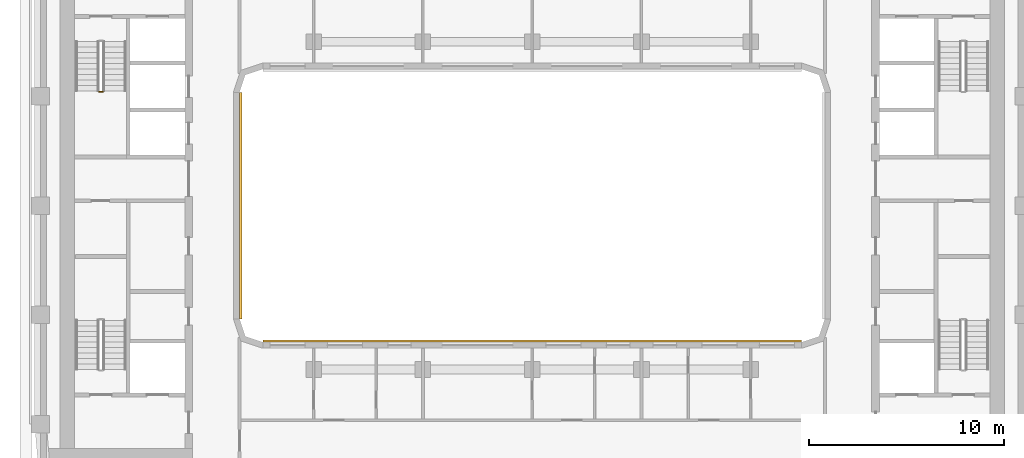
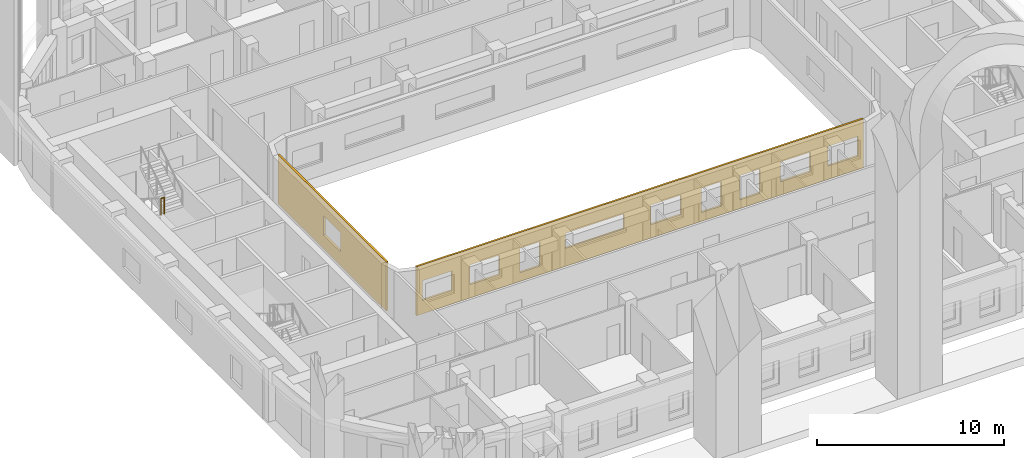
# One storey, part 14 of 20: 2 coverings, 1 railing.
"""IFC4 building model written with IfcOpenShell, lengths in metres."""

from ifc_helpers import new_model, si_unit, direction, frame, origin, origin_2d, place, context, subcontext, project, spatial, polyline, circle, outline, extrude, material, layer, layer_set, type_object, element, save


model = new_model("IFC4")

# Units and contexts
model_context = context("Model", 3, precision=1e-05, world=origin(), true_north=direction((0.0, 1.0)))
body_context = subcontext(model_context, "Body", "Model", "MODEL_VIEW")
ifc_project = project(units=[si_unit("LENGTHUNIT", "METRE"), si_unit("AREAUNIT", "SQUARE_METRE"), si_unit("VOLUMEUNIT", "CUBIC_METRE"), si_unit("PLANEANGLEUNIT", "RADIAN"), si_unit("MASSUNIT", "GRAM", prefix="KILO")], contexts=[model_context])

# Site, building, storey
site_placement = place(None, origin())
site = spatial("IfcSite", under=ifc_project, at=site_placement, CompositionType="ELEMENT")
building_placement = place(site_placement, origin())
building = spatial("IfcBuilding", under=site, at=building_placement, Name="Kiln Ring Residences", CompositionType="ELEMENT")
storey_placement = place(building_placement, frame((0.0, 0.0, 188.89990234375)))
storey = spatial("IfcBuildingStorey", under=building, at=storey_placement, Name="L48", CompositionType="ELEMENT", Elevation=188.89990234375)

# Railing
ifc_material_1 = material(Name="Stainless steel", Category="steel")
railing_type = type_object("IfcRailingType", Name="CORE-STAIR-GUARD", PredefinedType="GUARDRAIL", material=ifc_material_1)
railing_placement = place(storey_placement, frame((-22.199951171875, 5.830078125, 1.75)))
element("IfcRailing", 1, at=railing_placement, inside=storey, type_object=railing_type, Name="L48 W-STN stair guard 2", PredefinedType="GUARDRAIL", context=body_context, shape_type="SweptSolid", body=[
    extrude(circle(Radius=0.02392578125, at=origin_2d()), frame((0.0, 0.0, 1.076171875), z_axis=(1.0, 0.0, 0.0), x_axis=(0.0, 1.0, 0.0)), (0.0, 0.0, 1.0), 0.199951171875),
    extrude(circle(Radius=0.02099609375, at=origin_2d()), origin(), (0.0, 0.0, 1.0), 1.052001953125),
    extrude(circle(Radius=0.02099609375, at=origin_2d()), frame((0.199951171875, 0.0, 0.0)), (0.0, 0.0, 1.0), 1.052001953125),
])

# Coverings
ifc_material_2 = material(Name="Brick masonry, dark clay brick", Category="masonry")
ifc_layer = layer(ifc_material_2, 0.1201171875)
ifc_layer_set = layer_set([ifc_layer], Name="RAINSCREEN PANEL 120")
covering_type = type_object("IfcCoveringType", Name="RAINSCREEN PANEL 120", PredefinedType="CLADDING", material=ifc_layer_set)
covering_1_placement = place(storey_placement, frame((-14.93994140625, -5.800048828125, 0.0), z_axis=(0.0, 0.0, 1.0), x_axis=(0.0, 1.0, 0.0)))
element("IfcCovering", 2, at=covering_1_placement, inside=storey, type_object=covering_type, Name="RAINSCREEN L48", PredefinedType="CLADDING", context=body_context, shape_type="SweptSolid", body=[
    extrude(outline(polyline([(0.0, 0.0), (11.60009765625, 0.0), (11.60009765625, 3.2001953125), (0.0, 3.2001953125), (0.0, 0.0)]), holes=[polyline([(4.89990234375, 2.150146484375), (4.89990234375, 0.900146484375), (6.699951171875, 0.900146484375), (6.699951171875, 2.150146484375), (4.89990234375, 2.150146484375)])]), frame((0.0, 0.06005859375, 0.0), z_axis=(0.0, -1.0, 0.0), x_axis=(1.0, 0.0, 0.0)), (0.0, 0.0, 1.0), 0.1201171875),
])
covering_2_placement = place(storey_placement, frame((13.800048828125, -6.93994140625, 0.0), z_axis=(0.0, 0.0, 1.0), x_axis=(-1.0, 0.0, 0.0)))
element("IfcCovering", 3, at=covering_2_placement, inside=storey, type_object=covering_type, Name="RAINSCREEN L48", PredefinedType="CLADDING", context=body_context, shape_type="SweptSolid", body=[
    extrude(outline(polyline([(0.0, 0.0), (27.60009765625, 0.0), (27.60009765625, 3.2001953125), (0.0, 3.2001953125), (0.0, 0.0)]), holes=[polyline([(6.3798828125, 0.580078125), (7.6201171875, 0.580078125), (7.6201171875, 2.170166015625), (6.3798828125, 2.170166015625), (6.3798828125, 0.580078125)]), polyline([(8.780029296875, 0.580078125), (10.02001953125, 0.580078125), (10.02001953125, 2.170166015625), (8.780029296875, 2.170166015625), (8.780029296875, 0.580078125)]), polyline([(19.97998046875, 0.580078125), (21.219970703125, 0.580078125), (21.219970703125, 2.170166015625), (19.97998046875, 2.170166015625), (19.97998046875, 0.580078125)]), polyline([(0.342529296875, 0.880126953125), (2.1826171875, 0.880126953125), (2.1826171875, 2.170166015625), (0.342529296875, 2.170166015625), (0.342529296875, 0.880126953125)]), polyline([(3.280029296875, 0.880126953125), (5.1201171875, 0.880126953125), (5.1201171875, 2.170166015625), (3.280029296875, 2.170166015625), (3.280029296875, 0.880126953125)]), polyline([(11.280029296875, 0.880126953125), (13.1201171875, 0.880126953125), (13.1201171875, 2.170166015625), (11.280029296875, 2.170166015625), (11.280029296875, 0.880126953125)]), polyline([(22.47998046875, 0.880126953125), (24.320068359375, 0.880126953125), (24.320068359375, 2.170166015625), (22.47998046875, 2.170166015625), (22.47998046875, 0.880126953125)]), polyline([(25.41748046875, 2.170166015625), (25.41748046875, 0.880126953125), (27.257568359375, 0.880126953125), (27.257568359375, 2.170166015625), (25.41748046875, 2.170166015625)]), polyline([(14.780029296875, 2.170166015625), (14.780029296875, 1.18017578125), (18.419921875, 1.18017578125), (18.419921875, 2.170166015625), (14.780029296875, 2.170166015625)])]), frame((0.0, 0.06005859375, 0.0), z_axis=(0.0, -1.0, 0.0), x_axis=(1.0, 0.0, 0.0)), (0.0, 0.0, 1.0), 0.1201171875),
])

save(model, "model.ifc")
